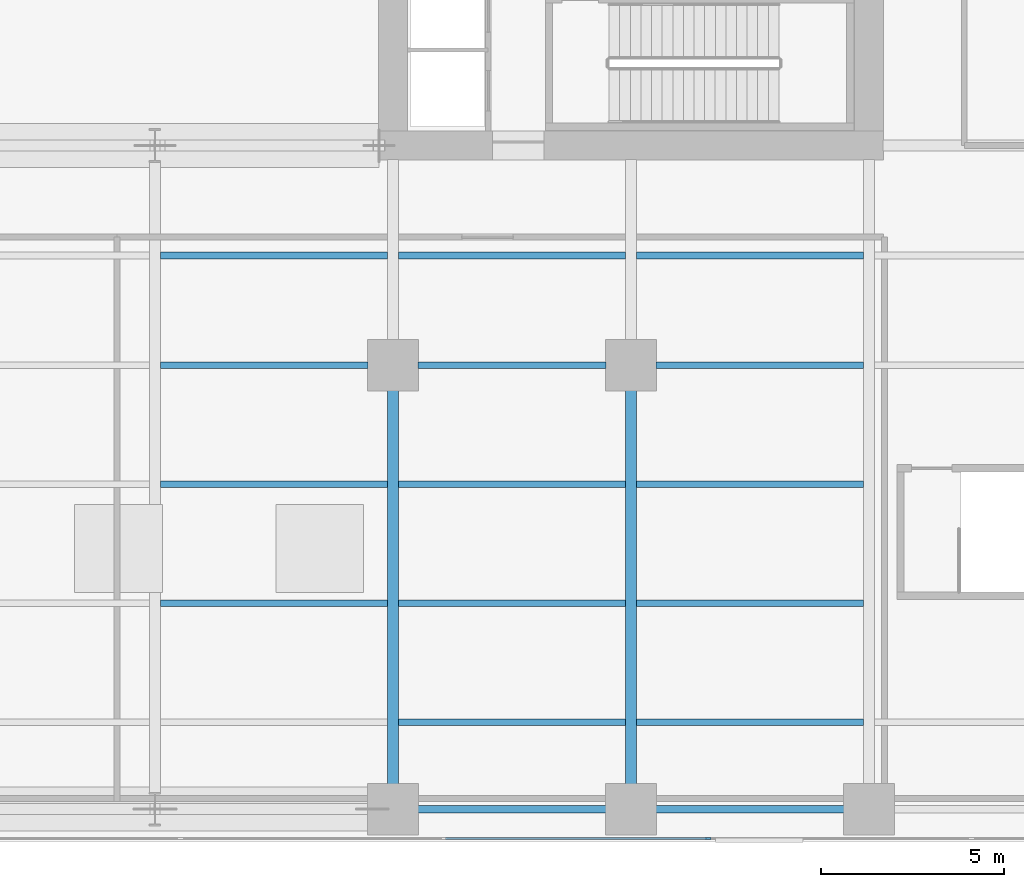
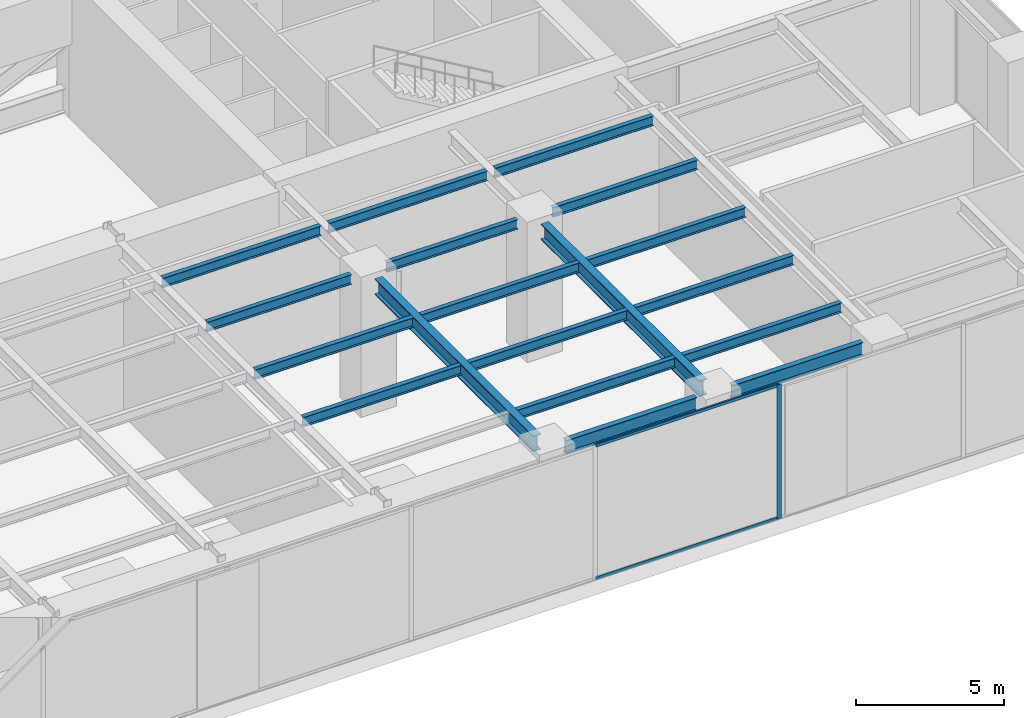
# One storey, part 7 of 25: 18 beams, 3 members, 1 element without a shape of its own.
"""IFC4 building model written with IfcOpenShell, lengths in metres."""

from ifc_helpers import new_model, si_unit, direction, frame, origin, origin_2d, place, context, subcontext, project, spatial, rectangle, i_section, extrude, material, layer, layer_set, material_profile, profile_set, type_object, element, aggregate, save


model = new_model("IFC4")

# Units and contexts
model_context = context("Model", 3, precision=1e-05, world=origin(), true_north=direction((0.0, 1.0)))
body_context = subcontext(model_context, "Body", "Model", "MODEL_VIEW")
ifc_project = project(units=[si_unit("LENGTHUNIT", "METRE"), si_unit("AREAUNIT", "SQUARE_METRE"), si_unit("VOLUMEUNIT", "CUBIC_METRE"), si_unit("PLANEANGLEUNIT", "RADIAN"), si_unit("MASSUNIT", "GRAM", prefix="KILO")], contexts=[model_context])

# Site, building, storey
site_placement = place(None, origin())
site = spatial("IfcSite", under=ifc_project, at=site_placement, CompositionType="ELEMENT")
building_placement = place(site_placement, origin())
building = spatial("IfcBuilding", under=site, at=building_placement, Name="Putna Gate Headquarters", CompositionType="ELEMENT")
storey_placement = place(building_placement, frame((0.0, 0.0, 22.0)))
storey = spatial("IfcBuildingStorey", under=building, at=storey_placement, Name="L04", CompositionType="ELEMENT", Elevation=22.0)

# Beams
ifc_material_1 = material(Name="Steel S355J2", Category="steel")
ifc_material_profile_1 = material_profile(ifc_material_1, i_section(OverallWidth=0.300048828125, OverallDepth=0.64990234375, WebThickness=0.01611328125, FlangeThickness=0.031005859375, at=origin_2d()), Name="Steel S355J2")
ifc_profile_set_1 = profile_set([ifc_material_profile_1], Name="Steel S355J2")
beam_type_1 = type_object("IfcBeamType", Name="BM-GIRD-Z1-HEB650", PredefinedType="USERDEFINED", material=ifc_profile_set_1)
for number, where, z_axis, x_axis, name in (
    (1, (52.0, 1.568115234375, 5.22509765625), (0.0, 1.0, 0.0), (-1.0, 0.0, 0.0), "L04 South Primary Girder X52-1"),
    (2, (58.5, 1.568115234375, 5.22509765625), (0.0, 1.0, 0.0), (-1.0, 0.0, 0.0), "L04 South Primary Girder X58-1"),
):
    element("IfcBeam", number, at=place(storey_placement, frame(where, z_axis=z_axis, x_axis=x_axis)), inside=storey, type_object=beam_type_1, Name=name, ObjectType="GIRDER", PredefinedType="USERDEFINED", context=body_context, shape_type="SweptSolid", body=[
        extrude(i_section(OverallWidth=0.300048828125, OverallDepth=0.64990234375, WebThickness=0.01611328125, FlangeThickness=0.031005859375, at=origin_2d()), origin(), (0.0, 0.0, 1.0), 10.743896484375),
    ])
ifc_material_profile_2 = material_profile(ifc_material_1, i_section(OverallWidth=0.179931640625, OverallDepth=0.39990234375, WebThickness=0.008544921875, FlangeThickness=0.013427734375, at=origin_2d()), Name="Steel S355J2")
ifc_profile_set_2 = profile_set([ifc_material_profile_2], Name="Steel S355J2")
beam_type_2 = type_object("IfcBeamType", Name="BM-SEC-Z1-IPE400", PredefinedType="BEAM", material=ifc_profile_set_2)
for number, where, z_axis, x_axis, name in (
    (3, (45.654052734375, 6.5, 5.35009765625), (1.0, 0.0, 0.0), (0.0, 1.0, 0.0), "L04 South Secondary Beam 7"),
    (4, (45.654052734375, 9.75, 5.35009765625), (1.0, 0.0, 0.0), (0.0, 1.0, 0.0), "L04 South Secondary Beam 7"),
):
    element("IfcBeam", number, at=place(storey_placement, frame(where, z_axis=z_axis, x_axis=x_axis)), inside=storey, type_object=beam_type_2, Name=name, PredefinedType="BEAM", context=body_context, shape_type="SweptSolid", body=[
        extrude(i_section(OverallWidth=0.179931640625, OverallDepth=0.39990234375, WebThickness=0.008544921875, FlangeThickness=0.013427734375, at=origin_2d()), origin(), (0.0, 0.0, 1.0), 6.19189453125),
    ])
beam_1_placement = place(storey_placement, frame((45.654052734375, 13.0, 5.35009765625), z_axis=(1.0, 0.0, 0.0), x_axis=(0.0, 1.0, 0.0)))
element("IfcBeam", 5, at=beam_1_placement, inside=storey, type_object=beam_type_2, Name="L04 South Secondary Beam 7", PredefinedType="BEAM", context=body_context, shape_type="SweptSolid", body=[
    extrude(i_section(OverallWidth=0.179931640625, OverallDepth=0.39990234375, WebThickness=0.008544921875, FlangeThickness=0.013427734375, at=origin_2d()), origin(), (0.0, 0.0, 1.0), 5.657958984375),
])
for number, where, z_axis, x_axis, name in (
    (6, (45.654052734375, 16.0, 5.35009765625), (1.0, 0.0, 0.0), (0.0, 1.0, 0.0), "L04 South Secondary Beam 7"),
    (7, (52.154052734375, 3.25, 5.35009765625), (1.0, 0.0, 0.0), (0.0, 1.0, 0.0), "L04 South Secondary Beam 8"),
    (8, (52.154052734375, 6.5, 5.35009765625), (1.0, 0.0, 0.0), (0.0, 1.0, 0.0), "L04 South Secondary Beam 8"),
    (9, (52.154052734375, 9.75, 5.35009765625), (1.0, 0.0, 0.0), (0.0, 1.0, 0.0), "L04 South Secondary Beam 8"),
):
    element("IfcBeam", number, at=place(storey_placement, frame(where, z_axis=z_axis, x_axis=x_axis)), inside=storey, type_object=beam_type_2, Name=name, PredefinedType="BEAM", context=body_context, shape_type="SweptSolid", body=[
        extrude(i_section(OverallWidth=0.179931640625, OverallDepth=0.39990234375, WebThickness=0.008544921875, FlangeThickness=0.013427734375, at=origin_2d()), origin(), (0.0, 0.0, 1.0), 6.19189453125),
    ])
beam_2_placement = place(storey_placement, frame((52.68798828125, 13.0, 5.35009765625), z_axis=(1.0, 0.0, 0.0), x_axis=(0.0, 1.0, 0.0)))
element("IfcBeam", 10, at=beam_2_placement, inside=storey, type_object=beam_type_2, Name="L04 South Secondary Beam 8", PredefinedType="BEAM", context=body_context, shape_type="SweptSolid", body=[
    extrude(i_section(OverallWidth=0.179931640625, OverallDepth=0.39990234375, WebThickness=0.008544921875, FlangeThickness=0.013427734375, at=origin_2d()), origin(), (0.0, 0.0, 1.0), 5.1240234375),
])
for number, where, z_axis, x_axis, name in (
    (11, (52.154052734375, 16.0, 5.35009765625), (1.0, 0.0, 0.0), (0.0, 1.0, 0.0), "L04 South Secondary Beam 8"),
    (12, (58.654052734375, 3.25, 5.35009765625), (1.0, 0.0, 0.0), (0.0, 1.0, 0.0), "L04 South Secondary Beam 9"),
    (13, (58.654052734375, 6.5, 5.35009765625), (1.0, 0.0, 0.0), (0.0, 1.0, 0.0), "L04 South Secondary Beam 9"),
    (14, (58.654052734375, 9.75, 5.35009765625), (1.0, 0.0, 0.0), (0.0, 1.0, 0.0), "L04 South Secondary Beam 9"),
):
    element("IfcBeam", number, at=place(storey_placement, frame(where, z_axis=z_axis, x_axis=x_axis)), inside=storey, type_object=beam_type_2, Name=name, PredefinedType="BEAM", context=body_context, shape_type="SweptSolid", body=[
        extrude(i_section(OverallWidth=0.179931640625, OverallDepth=0.39990234375, WebThickness=0.008544921875, FlangeThickness=0.013427734375, at=origin_2d()), origin(), (0.0, 0.0, 1.0), 6.19189453125),
    ])
beam_3_placement = place(storey_placement, frame((59.18798828125, 13.0, 5.35009765625), z_axis=(1.0, 0.0, 0.0), x_axis=(0.0, 1.0, 0.0)))
element("IfcBeam", 15, at=beam_3_placement, inside=storey, type_object=beam_type_2, Name="L04 South Secondary Beam 9", PredefinedType="BEAM", context=body_context, shape_type="SweptSolid", body=[
    extrude(i_section(OverallWidth=0.179931640625, OverallDepth=0.39990234375, WebThickness=0.008544921875, FlangeThickness=0.013427734375, at=origin_2d()), origin(), (0.0, 0.0, 1.0), 5.657958984375),
])
beam_4_placement = place(storey_placement, frame((58.654052734375, 16.0, 5.35009765625), z_axis=(1.0, 0.0, 0.0), x_axis=(0.0, 1.0, 0.0)))
element("IfcBeam", 16, at=beam_4_placement, inside=storey, type_object=beam_type_2, Name="L04 South Secondary Beam 9", PredefinedType="BEAM", context=body_context, shape_type="SweptSolid", body=[
    extrude(i_section(OverallWidth=0.179931640625, OverallDepth=0.39990234375, WebThickness=0.008544921875, FlangeThickness=0.013427734375, at=origin_2d()), origin(), (0.0, 0.0, 1.0), 6.19189453125),
])
ifc_material_profile_3 = material_profile(ifc_material_1, i_section(OverallWidth=0.2099609375, OverallDepth=0.550048828125, WebThickness=0.010986328125, FlangeThickness=0.01708984375, at=origin_2d()), Name="Steel S355J2")
ifc_profile_set_3 = profile_set([ifc_material_profile_3], Name="Steel S355J2")
beam_type_3 = type_object("IfcBeamType", Name="BM-SPAN-Z1-IPE550", PredefinedType="SPANDREL", material=ifc_profile_set_3)
for number, where, z_axis, x_axis, name in (
    (17, (52.68798828125, 0.8798828125, 5.27490234375), (1.0, 0.0, 0.0), (0.0, 1.0, 0.0), "L04 S Perimeter Spandrel 8"),
    (18, (59.18798828125, 0.8798828125, 5.27490234375), (1.0, 0.0, 0.0), (0.0, 1.0, 0.0), "L04 S Perimeter Spandrel 9"),
):
    element("IfcBeam", number, at=place(storey_placement, frame(where, z_axis=z_axis, x_axis=x_axis)), inside=storey, type_object=beam_type_3, Name=name, PredefinedType="SPANDREL", context=body_context, shape_type="SweptSolid", body=[
        extrude(i_section(OverallWidth=0.2099609375, OverallDepth=0.550048828125, WebThickness=0.010986328125, FlangeThickness=0.01708984375, at=origin_2d()), origin(), (0.0, 0.0, 1.0), 5.1240234375),
    ])

# Curtain wall, members
ifc_material_2 = material(Name="Anodised bronze aluminium curtain wall", Category="aluminium")
ifc_layer = layer(ifc_material_2, 0.159912109375)
ifc_layer_set = layer_set([ifc_layer], Name="Anodised bronze aluminium curtain wall")
curtain_wall_type = type_object("IfcCurtainWallType", Name="CW-SYS-CRN", PredefinedType="USERDEFINED", material=ifc_layer_set)
curtain_wall_placement = place(storey_placement, origin())
curtain_wall = element("IfcCurtainWall", 19, at=curtain_wall_placement, inside=storey, type_object=curtain_wall_type, Name="L04 Acoustic Louvre South Enclosure", ObjectType="STICK CURTAIN WALL", PredefinedType="USERDEFINED")
ifc_material_3 = material(Name="Anodised bronze aluminium EN AW-6060", Category="aluminium")
ifc_material_profile_4 = material_profile(ifc_material_3, rectangle(XDim=0.06494140625, YDim=0.159912109375, at=origin_2d()), Name="Anodised bronze aluminium EN AW-6060")
ifc_profile_set_4 = profile_set([ifc_material_profile_4], Name="Anodised bronze aluminium EN AW-6060")
member_type_1 = type_object("IfcMemberType", Name="MULL-CWM-CR", PredefinedType="MULLION", material=ifc_profile_set_4)
member_1_placement = place(storey_placement, frame((60.60009765625, 0.080078125, 0.0), z_axis=(0.0, 0.0, 1.0), x_axis=(0.0, 1.0, 0.0)))
member_1 = element("IfcMember", 20, at=member_1_placement, type_object=member_type_1, Name="CWS-CR mullion 9", PredefinedType="MULLION", context=body_context, shape_type="SweptSolid", body=[
    extrude(rectangle(XDim=0.06494140625, YDim=0.159912109375, at=origin_2d()), origin(), (0.0, 0.0, 1.0), 5.550048828125),
])
ifc_material_profile_5 = material_profile(ifc_material_3, rectangle(XDim=0.06494140625, YDim=0.1201171875, at=origin_2d()), Name="Anodised bronze aluminium EN AW-6060")
ifc_profile_set_5 = profile_set([ifc_material_profile_5], Name="Anodised bronze aluminium EN AW-6060")
member_type_2 = type_object("IfcMemberType", Name="TRAN-CWT-CR", PredefinedType="USERDEFINED", material=ifc_profile_set_5)
member_2_placement = place(storey_placement, frame((53.4326171875, 0.080078125, 0.032470703125), z_axis=(1.0, 0.0, 0.0), x_axis=(0.0, 1.0, 0.0)))
member_2 = element("IfcMember", 21, at=member_2_placement, type_object=member_type_2, Name="CWS-CR transom 8.1", ObjectType="TRANSOM", PredefinedType="USERDEFINED", context=body_context, shape_type="SweptSolid", body=[
    extrude(rectangle(XDim=0.06494140625, YDim=0.1201171875, at=origin_2d()), origin(), (0.0, 0.0, 1.0), 7.134765625),
])
member_3_placement = place(storey_placement, frame((53.4326171875, 0.080078125, 5.517578125), z_axis=(1.0, 0.0, 0.0), x_axis=(0.0, 1.0, 0.0)))
member_3 = element("IfcMember", 22, at=member_3_placement, type_object=member_type_2, Name="CWS-CR transom 8.2", ObjectType="TRANSOM", PredefinedType="USERDEFINED", context=body_context, shape_type="SweptSolid", body=[
    extrude(rectangle(XDim=0.06494140625, YDim=0.1201171875, at=origin_2d()), origin(), (0.0, 0.0, 1.0), 7.134765625),
])
aggregate(curtain_wall, [member_1, member_2, member_3])

save(model, "model.ifc")
